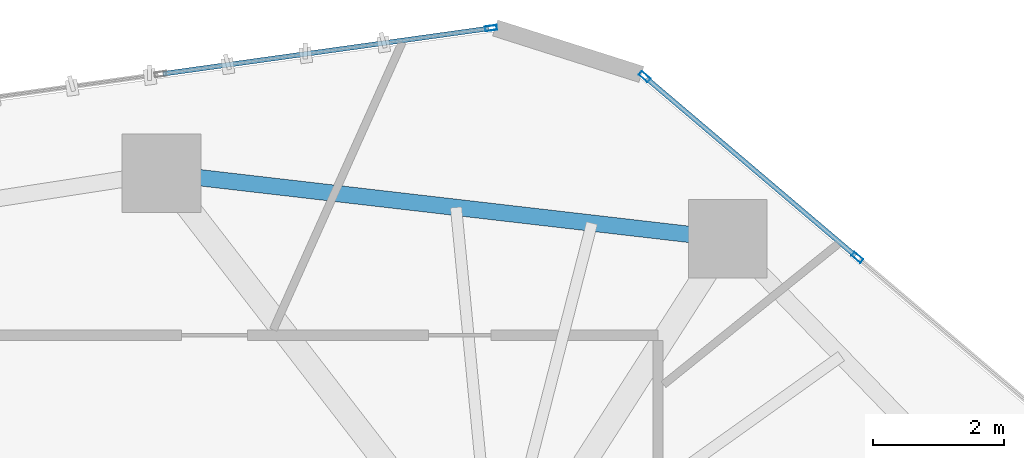
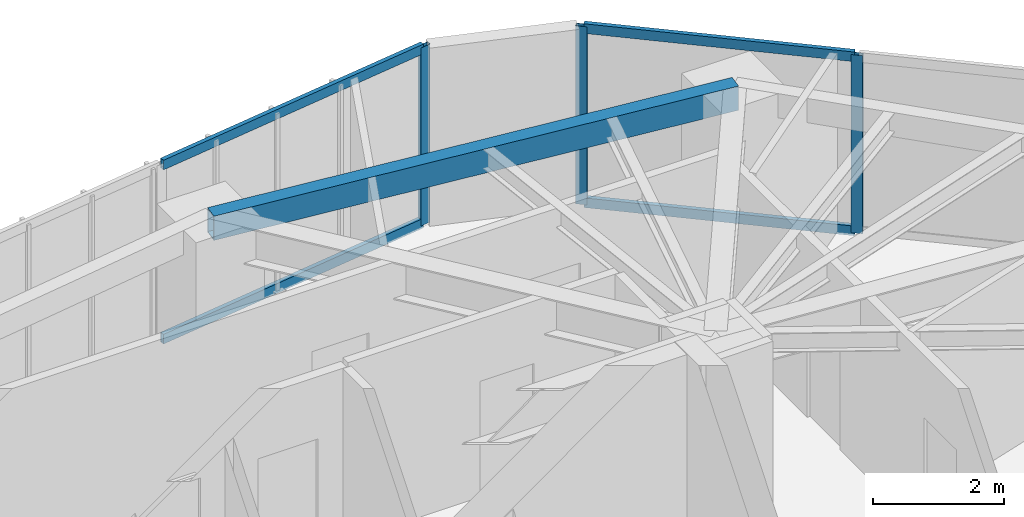
# One storey, part 17 of 24: 7 members, 1 beam, 2 elements without a shape of their own.
"""IFC4 building model written with IfcOpenShell, lengths in metres."""

import ifcopenshell
import ifcopenshell.guid

model = None  # the IFC model being written
_history = None  # IfcOwnerHistory: only IFC2X3 demands one
_inside = {}  # id of a spatial element -> (the spatial element, [elements in it])
_under = {}  # id of a project, library or spatial element -> (it, [spatial elements below it])
_declared = {}  # id of a project -> (the project, [libraries it declares])
_typed = {}  # id of a type object -> (the type object, [elements of that type])
_made_of = {}  # id of a material, layer set ... -> (it, [elements and type objects made of it])


def new_model(schema):
    """Start an empty IFC model of exactly this schema.

    Asked for "IFC4X3", IfcOpenShell would pick the latest addendum, in which some entities
    have other attributes; the version numbers below select the first issue.
    IFC2X3 requires an IfcOwnerHistory on every rooted entity: one is made here for all.
    """
    global model, _history
    if schema == "IFC4X3":
        model = ifcopenshell.file(schema_version=(4, 3, 0, 0))
    else:
        model = ifcopenshell.file(schema=schema)
    _inside.clear()
    _under.clear()
    _declared.clear()
    _typed.clear()
    _made_of.clear()
    _history = None
    if model.schema == "IFC2X3":
        org = make("IfcOrganization", Name="unknown")
        user = make(
            "IfcPersonAndOrganization",
            ThePerson=make("IfcPerson", FamilyName="unknown"),
            TheOrganization=org,
        )
        app = make(
            "IfcApplication",
            ApplicationDeveloper=org,
            Version="unknown",
            ApplicationFullName="unknown",
            ApplicationIdentifier="unknown",
        )
        _history = make(
            "IfcOwnerHistory",
            OwningUser=user,
            OwningApplication=app,
            ChangeAction="ADDED",
            CreationDate=0,
        )
    return model


def make(cls, **values):
    """One entity of the class cls with the attributes given. An attribute that is None is left unset."""
    return model.create_entity(
        cls, **{name: value for name, value in values.items() if value is not None}
    )


def rooted(cls, **values):
    """An entity with a GlobalId (a new one), such as an element, a storey or a relation."""
    return make(cls, GlobalId=ifcopenshell.guid.new(), OwnerHistory=_history, **values)


def si_unit(unit_type, name, prefix=None):
    """IfcSIUnit, for example si_unit("LENGTHUNIT", "METRE", prefix="MILLI")."""
    return make("IfcSIUnit", UnitType=unit_type, Prefix=prefix, Name=name)


def assignment(units):
    """IfcUnitAssignment: the units of a project."""
    return None if units is None else make("IfcUnitAssignment", Units=units)


def point(xyz):
    """IfcCartesianPoint."""
    return None if xyz is None else make("IfcCartesianPoint", Coordinates=xyz)


def direction(xyz):
    """IfcDirection."""
    return None if xyz is None else make("IfcDirection", DirectionRatios=xyz)


def frame(location, z_axis=None, x_axis=None):
    """IfcAxis2Placement3D, a coordinate frame: its origin and axes. An axis left out is left unset."""
    return make(
        "IfcAxis2Placement3D",
        Location=point(location),
        Axis=direction(z_axis),
        RefDirection=direction(x_axis),
    )


def frame_2d(location, x_axis=None):
    """IfcAxis2Placement2D, a coordinate frame in the plane: its origin and x axis."""
    return make(
        "IfcAxis2Placement2D", Location=point(location), RefDirection=direction(x_axis)
    )


def origin():
    """The frame at (0, 0, 0) with its axes left unset."""
    return frame((0.0, 0.0, 0.0))


def origin_2d():
    """The frame at (0, 0) in the plane with its x axis left unset."""
    return frame_2d((0.0, 0.0))


def place(relative_to, where):
    """IfcLocalPlacement: puts the frame where relative to a parent placement (None: the world)."""
    return make(
        "IfcLocalPlacement", PlacementRelTo=relative_to, RelativePlacement=where
    )


def context(
    kind, dimensions, precision=None, world=None, true_north=None, identifier=None
):
    """IfcGeometricRepresentationContext, for example the 3D "Model" context."""
    return make(
        "IfcGeometricRepresentationContext",
        ContextIdentifier=identifier,
        ContextType=kind,
        CoordinateSpaceDimension=dimensions,
        Precision=precision,
        WorldCoordinateSystem=world,
        TrueNorth=true_north,
    )


def subcontext(parent, identifier, kind, view, scale=None):
    """IfcGeometricRepresentationSubContext, for example "Body" below "Model"."""
    return make(
        "IfcGeometricRepresentationSubContext",
        ContextIdentifier=identifier,
        ContextType=kind,
        ParentContext=parent,
        TargetScale=scale,
        TargetView=view,
    )


def project(units=None, contexts=None):
    """IfcProject with its units and contexts."""
    return rooted(
        "IfcProject",
        Name="project",
        RepresentationContexts=contexts,
        UnitsInContext=assignment(units),
    )


def spatial(cls, under=None, at=None, **own):
    """A site, building, storey or space (cls), placed at a placement, below another one or the project."""
    s = rooted(cls, ObjectPlacement=at, **own)
    if under is not None:
        _under.setdefault(under.id(), (under, []))[1].append(s)
    return s


def profile(cls, at=None, kind="AREA", **sizes):
    """A parametric profile (cls). Its sizes go by their IFC names, for example OverallWidth=200.0."""
    return make(cls, ProfileType=kind, Position=at, **sizes)


def hollow_rectangle(**sizes):
    """IfcRectangleHollowProfileDef."""
    return profile("IfcRectangleHollowProfileDef", **sizes)


def extrude(swept, where, along, depth):
    """IfcExtrudedAreaSolid: the profile swept, set in the frame where, extruded along a direction by depth."""
    return make(
        "IfcExtrudedAreaSolid",
        SweptArea=swept,
        Position=where,
        ExtrudedDirection=direction(along),
        Depth=depth,
    )


def shape(context_of_items, identifier, shape_type, items):
    """IfcShapeRepresentation: the items that make up one representation, for example the "Body"."""
    return make(
        "IfcShapeRepresentation",
        ContextOfItems=context_of_items,
        RepresentationIdentifier=identifier,
        RepresentationType=shape_type,
        Items=items,
    )


def source(mapping_origin, context_of_items, identifier, shape_type, items):
    """IfcRepresentationMap: a shape defined once, which mapped items show again and again."""
    return make(
        "IfcRepresentationMap",
        MappingOrigin=mapping_origin,
        MappedRepresentation=shape(context_of_items, identifier, shape_type, items),
    )


def transform(
    local_origin,
    x_axis=None,
    y_axis=None,
    z_axis=None,
    scale=None,
    scale2=None,
    scale3=None,
    uniform=True,
):
    """IfcCartesianTransformationOperator3D, or its non-uniform kind. x_axis, y_axis, z_axis: its Axis1, 2, 3."""
    if uniform:
        return make(
            "IfcCartesianTransformationOperator3D",
            Axis1=direction(x_axis),
            Axis2=direction(y_axis),
            LocalOrigin=point(local_origin),
            Scale=scale,
            Axis3=direction(z_axis),
        )
    return make(
        "IfcCartesianTransformationOperator3DnonUniform",
        Axis1=direction(x_axis),
        Axis2=direction(y_axis),
        LocalOrigin=point(local_origin),
        Scale=scale,
        Axis3=direction(z_axis),
        Scale2=scale2,
        Scale3=scale3,
    )


def mapped(mapping_source, mapping_target):
    """IfcMappedItem: shows the shape of a source again, moved by a transform."""
    return make(
        "IfcMappedItem", MappingSource=mapping_source, MappingTarget=mapping_target
    )


def material(Name=None, Category=None):
    """IfcMaterial."""
    return make("IfcMaterial", Name=Name, Category=Category)


def layer(
    of_material, thickness, ventilated=None, Name=None, Category=None, Priority=None
):
    """IfcMaterialLayer: one layer of a wall or slab, of a material (None: an air gap)."""
    return make(
        "IfcMaterialLayer",
        Material=of_material,
        LayerThickness=thickness,
        IsVentilated=ventilated,
        Name=Name,
        Category=Category,
        Priority=Priority,
    )


def layer_set(layers, Name=None):
    """IfcMaterialLayerSet."""
    return make("IfcMaterialLayerSet", MaterialLayers=layers, LayerSetName=Name)


def material_profile(
    of_material, cross_section, Name=None, Category=None, Priority=None
):
    """IfcMaterialProfile: a cross section and its material."""
    return make(
        "IfcMaterialProfile",
        Name=Name,
        Material=of_material,
        Profile=cross_section,
        Priority=Priority,
        Category=Category,
    )


def profile_set(profiles, Name=None, composite=None):
    """IfcMaterialProfileSet."""
    return make(
        "IfcMaterialProfileSet",
        Name=Name,
        MaterialProfiles=profiles,
        CompositeProfile=composite,
    )


def made_of(thing, what):
    """Note that an element or type object is made of a material, layer set ...; save() writes the relation."""
    if what is not None:
        _made_of.setdefault(what.id(), (what, []))[1].append(thing)
    return thing


def type_object(cls, material=None, **own):
    """A type object (cls), such as IfcWallType, which elements share."""
    return made_of(rooted(cls, **own), material)


def type_shapes(of_type, sources):
    """Give a type object the sources (RepresentationMaps) that its elements show as mapped items."""
    of_type.RepresentationMaps = sources


def element(
    cls,
    number,
    at=None,
    inside=None,
    cuts=None,
    type_object=None,
    material=None,
    context=None,
    identifier="Body",
    shape_type=None,
    held_by="IfcProductDefinitionShape",
    body=None,
    shapes=None,
    **own,
):
    """One element of the class cls, such as IfcWall. Its Tag is "e" and its number.

    at: its placement. inside: the storey or other place that contains it. cuts: it is an
    opening in that element (IfcRelVoidsElement). A single representation is given by context,
    identifier, shape_type and body (its items); several are given by shapes. held_by: the class
    of the entity that holds the representations. save() writes the other relations.
    """
    e = rooted(cls, Tag="e%d" % number, ObjectPlacement=at, **own)
    if body is not None:
        shapes = [shape(context, identifier, shape_type, body)]
    if shapes is not None:
        e.Representation = make(held_by, Representations=shapes)
    if inside is not None:
        _inside.setdefault(inside.id(), (inside, []))[1].append(e)
    if cuts is not None:
        rooted(
            "IfcRelVoidsElement", RelatingBuildingElement=cuts, RelatedOpeningElement=e
        )
    if type_object is not None:
        _typed.setdefault(type_object.id(), (type_object, []))[1].append(e)
    return made_of(e, material)


def aggregate(whole, parts):
    """IfcRelAggregates: a whole, such as a stair, and the parts it consists of."""
    return rooted("IfcRelAggregates", RelatingObject=whole, RelatedObjects=parts)


def save(model, path):
    """Write the relations noted so far, then the file.

    IfcRelAggregates (storeys below a building ...), IfcRelContainedInSpatialStructure (elements
    in a storey), IfcRelDefinesByType, IfcRelAssociatesMaterial and IfcRelDeclares: one each for
    every whole, place, type object, material and project.
    """
    for whole, parts in _under.values():
        aggregate(whole, parts)
    for where, things in _inside.values():
        rooted(
            "IfcRelContainedInSpatialStructure",
            RelatedElements=things,
            RelatingStructure=where,
        )
    for kind, things in _typed.values():
        rooted("IfcRelDefinesByType", RelatedObjects=things, RelatingType=kind)
    for what, things in _made_of.values():
        rooted("IfcRelAssociatesMaterial", RelatedObjects=things, RelatingMaterial=what)
    for by, libraries in _declared.values():
        rooted("IfcRelDeclares", RelatingContext=by, RelatedDefinitions=libraries)
    model.write(path)


model = new_model("IFC4")

# Units and contexts
model_context = context("Model", 3, precision=1e-05, world=origin(), true_north=direction((0.0, 1.0)))
body_context = subcontext(model_context, "Body", "Model", "MODEL_VIEW")
ifc_project = project(units=[si_unit("LENGTHUNIT", "METRE"), si_unit("AREAUNIT", "SQUARE_METRE"), si_unit("VOLUMEUNIT", "CUBIC_METRE"), si_unit("PLANEANGLEUNIT", "RADIAN"), si_unit("MASSUNIT", "GRAM", prefix="KILO")], contexts=[model_context])

# Site, building, storey
site_placement = place(None, origin())
site = spatial("IfcSite", under=ifc_project, at=site_placement, CompositionType="ELEMENT")
building_placement = place(site_placement, origin())
building = spatial("IfcBuilding", under=site, at=building_placement, Name="Talar Marvaseh", CompositionType="ELEMENT")
storey_placement = place(building_placement, frame((0.0, 0.0, 114.60009765625)))
storey = spatial("IfcBuildingStorey", under=building, at=storey_placement, Name="L29", CompositionType="ELEMENT", Elevation=114.60009765625)

# Beam
ifc_material_1 = material(Name="Steel S355", Category="steel")
ifc_material_profile_1 = material_profile(ifc_material_1, hollow_rectangle(XDim=0.25, YDim=0.449951171875, WallThickness=0.01611328125, at=origin_2d()), Name="RHS450x250x16")
ifc_profile_set_1 = profile_set([ifc_material_profile_1], Name="Steel S355")
beam_type = type_object("IfcBeamType", Name="Zone 2 Perimeter Spandrel Beam RHS450x250x16", PredefinedType="SPANDREL", material=ifc_profile_set_1)
beam_placement = place(storey_placement, frame((28.221923828125, 43.471923828125, 3.0849609375), z_axis=(0.993361914569, -0.115030894474, 0.0), x_axis=(0.115030894474, 0.993361914569, 0.0)))
element("IfcBeam", 1, at=beam_placement, inside=storey, type_object=beam_type, Name="L29 Zone 2 Perimeter Spandrel Beam RHS450x250x16", PredefinedType="SPANDREL", context=body_context, shape_type="SweptSolid", body=[
    extrude(hollow_rectangle(XDim=0.25, YDim=0.449951171875, WallThickness=0.01611328125, at=origin_2d()), origin(), (0.0, 0.0, 1.0), 8.701904296875),
])

# Curtain wall, members
ifc_material_2 = material(Name="Architectural Aluminium", Category="aluminium")
ifc_layer = layer(ifc_material_2, 0.199951171875)
ifc_layer_set = layer_set([ifc_layer], Name="Architectural Aluminium")
curtain_wall_type = type_object("IfcCurtainWallType", Name="Unitised Acoustic Library Curtain Wall Z2", PredefinedType="NOTDEFINED", material=ifc_layer_set)
curtain_wall_1_placement = place(storey_placement, origin())
curtain_wall_1 = element("IfcCurtainWall", 2, at=curtain_wall_1_placement, inside=storey, type_object=curtain_wall_type, Name="L29 Unitised Acoustic Library Curtain Wall Z2", PredefinedType="NOTDEFINED")
ifc_material_profile_2 = material_profile(ifc_material_2, hollow_rectangle(XDim=0.074951171875, YDim=0.179931640625, WallThickness=0.0048828125, at=origin_2d()), Name="RHS180x75x5")
ifc_profile_set_2 = profile_set([ifc_material_profile_2], Name="Architectural Aluminium")
member_type_1 = type_object("IfcMemberType", Name="Unitised Curtain Wall Transom RHS180x75x5", PredefinedType="USERDEFINED", material=ifc_profile_set_2)
shared_shape_1 = source(origin(), body_context, "Body", "SweptSolid", [
    extrude(hollow_rectangle(XDim=0.074951171875, YDim=0.179931640625, WallThickness=0.0048828125, at=origin_2d()), origin(), (0.0, 0.0, 1.0), 4.185546875),
])
member_1_placement = place(storey_placement, frame((35.623291015625, 44.9208984375, 0.037353515625), z_axis=(0.762143647509, -0.647407955281, 0.0), x_axis=(0.647407955281, 0.762143647509, 0.0)))
member_1 = element("IfcMember", 3, at=member_1_placement, type_object=member_type_1, Name="CW-Z2 transom 1.1", ObjectType="TRANSOM", PredefinedType="USERDEFINED", context=body_context, shape_type="MappedRepresentation", body=[
    mapped(shared_shape_1, transform((0.0, 0.0, 0.0), x_axis=(1.0, 0.0, 0.0), y_axis=(0.0, 1.0, 0.0), z_axis=(0.0, 0.0, 1.0), scale=1.0)),
])
member_2_placement = place(storey_placement, frame((35.623291015625, 44.9208984375, 3.2724609375), z_axis=(0.762143647509, -0.647407955281, 0.0), x_axis=(0.647407955281, 0.762143647509, 0.0)))
member_2 = element("IfcMember", 4, at=member_2_placement, type_object=member_type_1, Name="CW-Z2 transom 1.2", ObjectType="TRANSOM", PredefinedType="USERDEFINED", context=body_context, shape_type="MappedRepresentation", body=[
    mapped(shared_shape_1, transform((0.0, 0.0, 0.0), x_axis=(1.0, 0.0, 0.0), y_axis=(0.0, 1.0, 0.0), z_axis=(0.0, 0.0, 1.0), scale=1.0)),
])

curtain_wall_2_placement = place(storey_placement, origin())
curtain_wall_2 = element("IfcCurtainWall", 5, at=curtain_wall_2_placement, inside=storey, type_object=curtain_wall_type, Name="L29 Unitised Acoustic Library Curtain Wall Z2", PredefinedType="NOTDEFINED")
shared_shape_2 = source(origin(), body_context, "Body", "SweptSolid", [
    extrude(hollow_rectangle(XDim=0.074951171875, YDim=0.179931640625, WallThickness=0.0048828125, at=origin_2d()), origin(), (0.0, 0.0, 1.0), 5.017578125),
])
type_shapes(member_type_1, [shared_shape_1, shared_shape_2])
member_3_placement = place(storey_placement, frame((28.244384765625, 44.9892578125, 0.037353515625), z_axis=(0.990433062831, 0.137994014551, 0.0), x_axis=(-0.137994014551, 0.990433062831, 0.0)))
member_3 = element("IfcMember", 6, at=member_3_placement, type_object=member_type_1, Name="CW-Z2 transom 3.1", ObjectType="TRANSOM", PredefinedType="USERDEFINED", context=body_context, shape_type="MappedRepresentation", body=[
    mapped(shared_shape_2, transform((0.0, 0.0, 0.0), x_axis=(1.0, 0.0, 0.0), y_axis=(0.0, 1.0, 0.0), z_axis=(0.0, 0.0, 1.0), scale=1.0)),
])
member_4_placement = place(storey_placement, frame((28.244384765625, 44.9892578125, 3.2724609375), z_axis=(0.990433062831, 0.137994014551, 0.0), x_axis=(-0.137994014551, 0.990433062831, 0.0)))
member_4 = element("IfcMember", 7, at=member_4_placement, type_object=member_type_1, Name="CW-Z2 transom 3.2", ObjectType="TRANSOM", PredefinedType="USERDEFINED", context=body_context, shape_type="MappedRepresentation", body=[
    mapped(shared_shape_2, transform((0.0, 0.0, 0.0), x_axis=(1.0, 0.0, 0.0), y_axis=(0.0, 1.0, 0.0), z_axis=(0.0, 0.0, 1.0), scale=1.0)),
])
ifc_material_profile_3 = material_profile(ifc_material_2, hollow_rectangle(XDim=0.074951171875, YDim=0.179931640625, WallThickness=0.0048828125, at=origin_2d()), Name="RHS180x75x5")
ifc_profile_set_3 = profile_set([ifc_material_profile_3], Name="Architectural Aluminium")
member_type_2 = type_object("IfcMemberType", Name="Unitised Curtain Wall Standard Mullion RHS180x75x5", PredefinedType="MULLION", material=ifc_profile_set_3)
shared_shape_3 = source(origin(), body_context, "Body", "SweptSolid", [
    extrude(hollow_rectangle(XDim=0.074951171875, YDim=0.179931640625, WallThickness=0.0048828125, at=origin_2d()), origin(), (0.0, 0.0, 1.0), 3.309814453125),
])
type_shapes(member_type_2, [shared_shape_3])
member_5_placement = place(storey_placement, frame((33.2509765625, 45.686767578125, 0.0), z_axis=(0.0, 0.0, 1.0), x_axis=(-0.137997410848, 0.990432589629, 0.0)))
member_5 = element("IfcMember", 8, at=member_5_placement, type_object=member_type_2, Name="CW-Z2 mullion 4", PredefinedType="MULLION", context=body_context, shape_type="MappedRepresentation", body=[
    mapped(shared_shape_3, transform((0.0, 0.0, 0.0), x_axis=(1.0, 0.0, 0.0), y_axis=(0.0, 1.0, 0.0), z_axis=(0.0, 0.0, 1.0), scale=1.0)),
])
aggregate(curtain_wall_2, [member_5, member_3, member_4])

# Member
member_6_placement = place(storey_placement, frame((35.5947265625, 44.9453125, 0.0), z_axis=(0.0, 0.0, 1.0), x_axis=(0.647404401964, 0.762146665884, 0.0)))
member_6 = element("IfcMember", 9, at=member_6_placement, type_object=member_type_2, Name="CW-Z2 mullion 1", PredefinedType="MULLION", context=body_context, shape_type="MappedRepresentation", body=[
    mapped(shared_shape_3, transform((0.0, 0.0, 0.0), x_axis=(1.0, 0.0, 0.0), y_axis=(0.0, 1.0, 0.0), z_axis=(0.0, 0.0, 1.0), scale=1.0)),
])

member_7_placement = place(storey_placement, frame((38.841796875, 42.18701171875, 0.0), z_axis=(0.0, 0.0, 1.0), x_axis=(0.647404401964, 0.762146665884, 0.0)))
member_7 = element("IfcMember", 10, at=member_7_placement, type_object=member_type_2, Name="CW-Z2 mullion 2", PredefinedType="MULLION", context=body_context, shape_type="MappedRepresentation", body=[
    mapped(shared_shape_3, transform((0.0, 0.0, 0.0), x_axis=(1.0, 0.0, 0.0), y_axis=(0.0, 1.0, 0.0), z_axis=(0.0, 0.0, 1.0), scale=1.0)),
])

aggregate(curtain_wall_1, [member_6, member_7, member_1, member_2])

save(model, "model.ifc")
